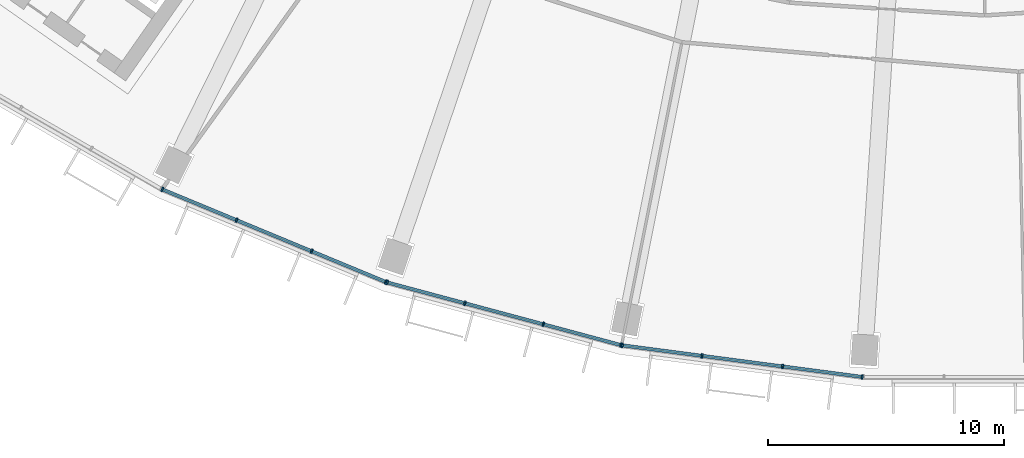
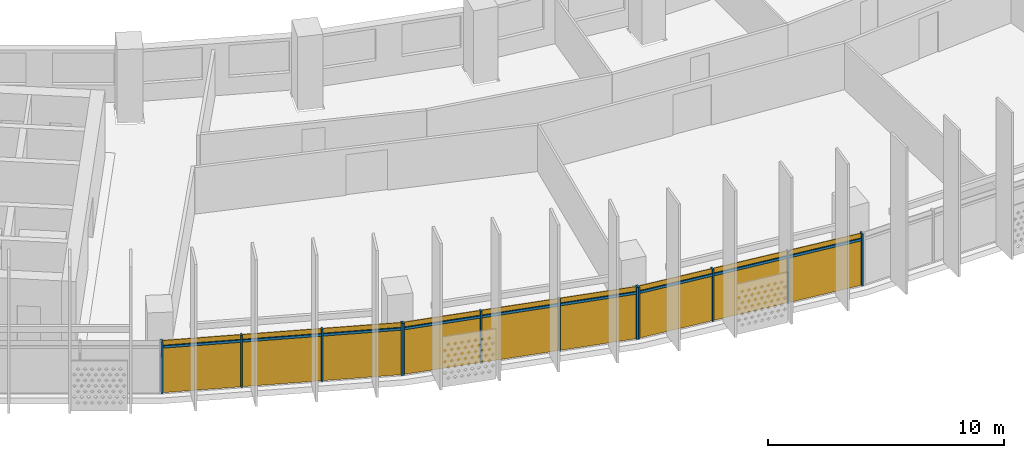
# One storey, part 17 of 31: 21 members, 3 curtain walls.
"""IFC4 building model written with IfcOpenShell, lengths in metres."""

from ifc_helpers import new_model, si_unit, direction, frame, origin, origin_2d, place, context, subcontext, project, spatial, rectangle, extrude, material, material_profile, profile_set, type_object, element, aggregate, save


model = new_model("IFC4")

# Units and contexts
model_context = context("Model", 3, precision=1e-05, world=origin(), true_north=direction((0.0, 1.0)))
body_context = subcontext(model_context, "Body", "Model", "MODEL_VIEW")
ifc_project = project(units=[si_unit("LENGTHUNIT", "METRE"), si_unit("AREAUNIT", "SQUARE_METRE"), si_unit("VOLUMEUNIT", "CUBIC_METRE"), si_unit("PLANEANGLEUNIT", "RADIAN"), si_unit("MASSUNIT", "GRAM", prefix="KILO")], contexts=[model_context])

# Member
ifc_material = material(Name="Aluminium 6063-T6 anodised", Category="aluminium")
ifc_material_profile_1 = material_profile(ifc_material, rectangle(XDim=0.199951171875, YDim=0.070068359375, at=origin_2d()))
ifc_profile_set_1 = profile_set([ifc_material_profile_1], Name="Aluminium 6063-T6 anodised")
member_type_1 = type_object("IfcMemberType", Name="Mullion 70 x 200 aluminium", PredefinedType="MULLION", material=ifc_profile_set_1)
site_placement = place(None, origin())
building_placement = place(site_placement, origin())
storey_placement = place(building_placement, frame((0.0, 0.0, 149.300048828125)))
member_1_placement = place(storey_placement, frame((-34.8701171875, -70.77392578125, 0.0), z_axis=(0.0, 0.0, 1.0), x_axis=(0.382683432365, 0.923879532511, 0.0)))
member_1 = element("IfcMember", 1, at=member_1_placement, type_object=member_type_1, Name="e-cw1-L34-out04/M00", PredefinedType="MULLION", context=body_context, shape_type="SweptSolid", body=[
    extrude(rectangle(XDim=0.199951171875, YDim=0.070068359375, at=origin_2d()), origin(), (0.0, 0.0, 1.0), 2.699951171875),
])

member_2_placement = place(storey_placement, frame((-31.72021484375, -72.078857421875, 0.0), z_axis=(0.0, 0.0, 1.0), x_axis=(0.382683432365, 0.923879532511, 0.0)))
member_2 = element("IfcMember", 2, at=member_2_placement, type_object=member_type_1, Name="e-cw1-L34-out04/M01", PredefinedType="MULLION", context=body_context, shape_type="SweptSolid", body=[
    extrude(rectangle(XDim=0.199951171875, YDim=0.070068359375, at=origin_2d()), origin(), (0.0, 0.0, 1.0), 2.699951171875),
])

member_3_placement = place(storey_placement, frame((-28.537841796875, -73.39697265625, 0.0), z_axis=(0.0, 0.0, 1.0), x_axis=(0.382683432365, 0.923879532511, 0.0)))
member_3 = element("IfcMember", 3, at=member_3_placement, type_object=member_type_1, Name="e-cw1-L34-out04/M02", PredefinedType="MULLION", context=body_context, shape_type="SweptSolid", body=[
    extrude(rectangle(XDim=0.199951171875, YDim=0.070068359375, at=origin_2d()), origin(), (0.0, 0.0, 1.0), 2.699951171875),
])

member_4_placement = place(storey_placement, frame((-25.3876953125, -74.70166015625, 0.0), z_axis=(0.0, 0.0, 1.0), x_axis=(0.382683432365, 0.923879532511, 0.0)))
member_4 = element("IfcMember", 4, at=member_4_placement, type_object=member_type_1, Name="e-cw1-L34-out04/M03", PredefinedType="MULLION", context=body_context, shape_type="SweptSolid", body=[
    extrude(rectangle(XDim=0.199951171875, YDim=0.070068359375, at=origin_2d()), origin(), (0.0, 0.0, 1.0), 2.699951171875),
])

member_5_placement = place(storey_placement, frame((-25.333984375, -74.719970703125, 0.0), z_axis=(0.0, 0.0, 1.0), x_axis=(0.258819045103, 0.965925826289, 0.0)))
member_5 = element("IfcMember", 5, at=member_5_placement, type_object=member_type_1, Name="e-cw1-L34-out05/M00", PredefinedType="MULLION", context=body_context, shape_type="SweptSolid", body=[
    extrude(rectangle(XDim=0.199951171875, YDim=0.070068359375, at=origin_2d()), origin(), (0.0, 0.0, 1.0), 2.699951171875),
])

member_6_placement = place(storey_placement, frame((-22.04052734375, -75.602294921875, 0.0), z_axis=(0.0, 0.0, 1.0), x_axis=(0.258819045103, 0.965925826289, 0.0)))
member_6 = element("IfcMember", 6, at=member_6_placement, type_object=member_type_1, Name="e-cw1-L34-out05/M01", PredefinedType="MULLION", context=body_context, shape_type="SweptSolid", body=[
    extrude(rectangle(XDim=0.199951171875, YDim=0.070068359375, at=origin_2d()), origin(), (0.0, 0.0, 1.0), 2.699951171875),
])

member_7_placement = place(storey_placement, frame((-18.71337890625, -76.493896484375, 0.0), z_axis=(0.0, 0.0, 1.0), x_axis=(0.258819045103, 0.965925826289, 0.0)))
member_7 = element("IfcMember", 7, at=member_7_placement, type_object=member_type_1, Name="e-cw1-L34-out05/M02", PredefinedType="MULLION", context=body_context, shape_type="SweptSolid", body=[
    extrude(rectangle(XDim=0.199951171875, YDim=0.070068359375, at=origin_2d()), origin(), (0.0, 0.0, 1.0), 2.699951171875),
])

member_8_placement = place(storey_placement, frame((-15.420166015625, -77.37646484375, 0.0), z_axis=(0.0, 0.0, 1.0), x_axis=(0.258819045103, 0.965925826289, 0.0)))
member_8 = element("IfcMember", 8, at=member_8_placement, type_object=member_type_1, Name="e-cw1-L34-out05/M03", PredefinedType="MULLION", context=body_context, shape_type="SweptSolid", body=[
    extrude(rectangle(XDim=0.199951171875, YDim=0.070068359375, at=origin_2d()), origin(), (0.0, 0.0, 1.0), 2.699951171875),
])

member_9_placement = place(storey_placement, frame((-15.364501953125, -77.387451171875, 0.0), z_axis=(0.0, 0.0, 1.0), x_axis=(0.13052619222, 0.991444861374, 0.0)))
member_9 = element("IfcMember", 9, at=member_9_placement, type_object=member_type_1, Name="e-cw1-L34-out06/M00", PredefinedType="MULLION", context=body_context, shape_type="SweptSolid", body=[
    extrude(rectangle(XDim=0.199951171875, YDim=0.070068359375, at=origin_2d()), origin(), (0.0, 0.0, 1.0), 2.699951171875),
])

member_10_placement = place(storey_placement, frame((-11.98388671875, -77.83251953125, 0.0), z_axis=(0.0, 0.0, 1.0), x_axis=(0.13052619222, 0.991444861374, 0.0)))
member_10 = element("IfcMember", 10, at=member_10_placement, type_object=member_type_1, Name="e-cw1-L34-out06/M01", PredefinedType="MULLION", context=body_context, shape_type="SweptSolid", body=[
    extrude(rectangle(XDim=0.199951171875, YDim=0.070068359375, at=origin_2d()), origin(), (0.0, 0.0, 1.0), 2.699951171875),
])

member_11_placement = place(storey_placement, frame((-8.56884765625, -78.2822265625, 0.0), z_axis=(0.0, 0.0, 1.0), x_axis=(0.13052619222, 0.991444861374, 0.0)))
member_11 = element("IfcMember", 11, at=member_11_placement, type_object=member_type_1, Name="e-cw1-L34-out06/M02", PredefinedType="MULLION", context=body_context, shape_type="SweptSolid", body=[
    extrude(rectangle(XDim=0.199951171875, YDim=0.070068359375, at=origin_2d()), origin(), (0.0, 0.0, 1.0), 2.699951171875),
])

member_12_placement = place(storey_placement, frame((-5.1884765625, -78.72705078125, 0.0), z_axis=(0.0, 0.0, 1.0), x_axis=(0.13052619222, 0.991444861374, 0.0)))
member_12 = element("IfcMember", 12, at=member_12_placement, type_object=member_type_1, Name="e-cw1-L34-out06/M03", PredefinedType="MULLION", context=body_context, shape_type="SweptSolid", body=[
    extrude(rectangle(XDim=0.199951171875, YDim=0.070068359375, at=origin_2d()), origin(), (0.0, 0.0, 1.0), 2.699951171875),
])

ifc_material_profile_2 = material_profile(ifc_material, rectangle(XDim=0.139892578125, YDim=0.1201171875, at=origin_2d()))
ifc_profile_set_2 = profile_set([ifc_material_profile_2], Name="Aluminium 6063-T6 anodised")
member_type_2 = type_object("IfcMemberType", Name="Transom 120 x 140 aluminium", PredefinedType="USERDEFINED", material=ifc_profile_set_2)
member_13_placement = place(storey_placement, frame((-34.837890625, -70.787353515625, 2.39990234375), z_axis=(0.923875164544, -0.382693977401, 0.0), x_axis=(0.382693977401, 0.923875164544, 0.0)))
member_13 = element("IfcMember", 13, at=member_13_placement, type_object=member_type_2, Name="e-cw1-L34-out04/T00", ObjectType="TRANSOM", PredefinedType="USERDEFINED", context=body_context, shape_type="SweptSolid", body=[
    extrude(rectangle(XDim=0.139892578125, YDim=0.1201171875, at=origin_2d()), origin(), (0.0, 0.0, 1.0), 3.339599609375),
])

member_14_placement = place(storey_placement, frame((-31.687744140625, -72.092041015625, 2.39990234375), z_axis=(0.923866926753, -0.382713863941, 0.0), x_axis=(0.382713863941, 0.923866926753, 0.0)))
member_14 = element("IfcMember", 14, at=member_14_placement, type_object=member_type_2, Name="e-cw1-L34-out04/T01", ObjectType="TRANSOM", PredefinedType="USERDEFINED", context=body_context, shape_type="SweptSolid", body=[
    extrude(rectangle(XDim=0.139892578125, YDim=0.1201171875, at=origin_2d()), origin(), (0.0, 0.0, 1.0), 3.37451171875),
])

member_15_placement = place(storey_placement, frame((-28.50537109375, -73.410400390625, 2.39990234375), z_axis=(0.923890305385, -0.382657423311, 0.0), x_axis=(0.382657423311, 0.923890305385, 0.0)))
member_15 = element("IfcMember", 15, at=member_15_placement, type_object=member_type_2, Name="e-cw1-L34-out04/T02", ObjectType="TRANSOM", PredefinedType="USERDEFINED", context=body_context, shape_type="SweptSolid", body=[
    extrude(rectangle(XDim=0.139892578125, YDim=0.1201171875, at=origin_2d()), origin(), (0.0, 0.0, 1.0), 3.33935546875),
])

member_16_placement = place(storey_placement, frame((-25.30029296875, -74.72900390625, 2.39990234375), z_axis=(0.965933368091, -0.258790897074, 0.0), x_axis=(0.258790897074, 0.965933368091, 0.0)))
member_16 = element("IfcMember", 16, at=member_16_placement, type_object=member_type_2, Name="e-cw1-L34-out05/T00", ObjectType="TRANSOM", PredefinedType="USERDEFINED", context=body_context, shape_type="SweptSolid", body=[
    extrude(rectangle(XDim=0.139892578125, YDim=0.1201171875, at=origin_2d()), origin(), (0.0, 0.0, 1.0), 3.339599609375),
])

member_17_placement = place(storey_placement, frame((-22.0068359375, -75.611572265625, 2.39990234375), z_axis=(0.965932873966, -0.258792741381, 0.0), x_axis=(0.258792741381, 0.965932873966, 0.0)))
member_17 = element("IfcMember", 17, at=member_17_placement, type_object=member_type_2, Name="e-cw1-L34-out05/T01", ObjectType="TRANSOM", PredefinedType="USERDEFINED", context=body_context, shape_type="SweptSolid", body=[
    extrude(rectangle(XDim=0.139892578125, YDim=0.1201171875, at=origin_2d()), origin(), (0.0, 0.0, 1.0), 3.37451171875),
])

member_18_placement = place(storey_placement, frame((-18.6796875, -76.5029296875, 2.39990234375), z_axis=(0.96591509168, -0.258859103886, 0.0), x_axis=(0.258859103886, 0.96591509168, 0.0)))
member_18 = element("IfcMember", 18, at=member_18_placement, type_object=member_type_2, Name="e-cw1-L34-out05/T02", ObjectType="TRANSOM", PredefinedType="USERDEFINED", context=body_context, shape_type="SweptSolid", body=[
    extrude(rectangle(XDim=0.139892578125, YDim=0.1201171875, at=origin_2d()), origin(), (0.0, 0.0, 1.0), 3.339599609375),
])

member_19_placement = place(storey_placement, frame((-15.32958984375, -77.39208984375, 2.39990234375), z_axis=(0.991448073325, -0.130501792706, 0.0), x_axis=(0.130501792706, 0.991448073325, 0.0)))
member_19 = element("IfcMember", 19, at=member_19_placement, type_object=member_type_2, Name="e-cw1-L34-out06/T00", ObjectType="TRANSOM", PredefinedType="USERDEFINED", context=body_context, shape_type="SweptSolid", body=[
    extrude(rectangle(XDim=0.139892578125, YDim=0.1201171875, at=origin_2d()), origin(), (0.0, 0.0, 1.0), 3.33935546875),
])

member_20_placement = place(storey_placement, frame((-11.94921875, -77.837158203125, 2.39990234375), z_axis=(0.991446413845, -0.130514399487, 0.0), x_axis=(0.130514399487, 0.991446413845, 0.0)))
member_20 = element("IfcMember", 20, at=member_20_placement, type_object=member_type_2, Name="e-cw1-L34-out06/T01", ObjectType="TRANSOM", PredefinedType="USERDEFINED", context=body_context, shape_type="SweptSolid", body=[
    extrude(rectangle(XDim=0.139892578125, YDim=0.1201171875, at=origin_2d()), origin(), (0.0, 0.0, 1.0), 3.37451171875),
])

member_21_placement = place(storey_placement, frame((-8.5341796875, -78.28662109375, 2.39990234375), z_axis=(0.991439857731, -0.130564193033, 0.0), x_axis=(0.130564193033, 0.991439857731, 0.0)))
member_21 = element("IfcMember", 21, at=member_21_placement, type_object=member_type_2, Name="e-cw1-L34-out06/T02", ObjectType="TRANSOM", PredefinedType="USERDEFINED", context=body_context, shape_type="SweptSolid", body=[
    extrude(rectangle(XDim=0.139892578125, YDim=0.1201171875, at=origin_2d()), origin(), (0.0, 0.0, 1.0), 3.339599609375),
])

# Site, building, storey
site = spatial("IfcSite", under=ifc_project, at=site_placement, CompositionType="ELEMENT")
building = spatial("IfcBuilding", under=site, at=building_placement, Name="Qamariyya Broadcast Tower", CompositionType="ELEMENT")
storey = spatial("IfcBuildingStorey", under=building, at=storey_placement, Name="L34", CompositionType="ELEMENT", Elevation=149.300048828125)

# Curtain wall
curtain_wall_type = type_object("IfcCurtainWallType", Name="Unitised curtain wall, anodised aluminium", PredefinedType="NOTDEFINED", material=ifc_material)
curtain_wall_1_placement = place(storey_placement, origin())
curtain_wall_1 = element("IfcCurtainWall", 22, at=curtain_wall_1_placement, inside=storey, type_object=curtain_wall_type, Name="e-cw1-L34-out04", PredefinedType="NOTDEFINED", context=body_context, shape_type="SweptSolid", body=[
    extrude(rectangle(XDim=3.339599609375, YDim=0.031982421875, at=origin_2d()), frame((-33.295166015625, -71.42626953125, 0.0), x_axis=(0.923878040314, -0.382687034829, 0.0)), (0.0, 0.0, 1.0), 2.340087890625),
    extrude(rectangle(XDim=3.339599609375, YDim=0.031982421875, at=origin_2d()), frame((-33.295166015625, -71.42626953125, 2.4599609375), x_axis=(0.923878040314, -0.382687034829, 0.0)), (0.0, 0.0, 1.0), 0.239990234375),
    extrude(rectangle(XDim=3.37451171875, YDim=0.031982421875, at=origin_2d()), frame((-30.12890625, -72.73779296875, 0.0), x_axis=(0.923878040314, -0.382687034829, 0.0)), (0.0, 0.0, 1.0), 2.340087890625),
    extrude(rectangle(XDim=3.37451171875, YDim=0.031982421875, at=origin_2d()), frame((-30.12890625, -72.73779296875, 2.4599609375), x_axis=(0.923878040314, -0.382687034829, 0.0)), (0.0, 0.0, 1.0), 0.239990234375),
    extrude(rectangle(XDim=3.339599609375, YDim=0.031982421875, at=origin_2d()), frame((-26.962890625, -74.04931640625, 0.0), x_axis=(0.923878040314, -0.382687034829, 0.0)), (0.0, 0.0, 1.0), 2.340087890625),
    extrude(rectangle(XDim=3.339599609375, YDim=0.031982421875, at=origin_2d()), frame((-26.962890625, -74.04931640625, 2.4599609375), x_axis=(0.923878040314, -0.382687034829, 0.0)), (0.0, 0.0, 1.0), 0.239990234375),
])

aggregate(curtain_wall_1, [member_1, member_2, member_3, member_4, member_13, member_14, member_15])

curtain_wall_2_placement = place(storey_placement, origin())
curtain_wall_2 = element("IfcCurtainWall", 23, at=curtain_wall_2_placement, inside=storey, type_object=curtain_wall_type, Name="e-cw1-L34-out05", PredefinedType="NOTDEFINED", context=body_context, shape_type="SweptSolid", body=[
    extrude(rectangle(XDim=3.339599609375, YDim=0.031982421875, at=origin_2d()), frame((-23.6875, -75.1611328125, 0.0), x_axis=(0.965926433062, -0.258816780584, 0.0)), (0.0, 0.0, 1.0), 2.340087890625),
    extrude(rectangle(XDim=3.339599609375, YDim=0.031982421875, at=origin_2d()), frame((-23.6875, -75.1611328125, 2.4599609375), x_axis=(0.965926433062, -0.258816780584, 0.0)), (0.0, 0.0, 1.0), 0.239990234375),
    extrude(rectangle(XDim=3.37451171875, YDim=0.031982421875, at=origin_2d()), frame((-20.376953125, -76.04833984375, 0.0), x_axis=(0.965926433062, -0.258816780584, 0.0)), (0.0, 0.0, 1.0), 2.340087890625),
    extrude(rectangle(XDim=3.37451171875, YDim=0.031982421875, at=origin_2d()), frame((-20.376953125, -76.04833984375, 2.4599609375), x_axis=(0.965926433062, -0.258816780584, 0.0)), (0.0, 0.0, 1.0), 0.239990234375),
    extrude(rectangle(XDim=3.339599609375, YDim=0.031982421875, at=origin_2d()), frame((-17.066650390625, -76.935302734375, 0.0), x_axis=(0.965926433062, -0.258816780584, 0.0)), (0.0, 0.0, 1.0), 2.340087890625),
    extrude(rectangle(XDim=3.339599609375, YDim=0.031982421875, at=origin_2d()), frame((-17.066650390625, -76.935302734375, 2.4599609375), x_axis=(0.965926433062, -0.258816780584, 0.0)), (0.0, 0.0, 1.0), 0.239990234375),
])

aggregate(curtain_wall_2, [member_5, member_6, member_7, member_8, member_16, member_17, member_18])

curtain_wall_3_placement = place(storey_placement, origin())
curtain_wall_3 = element("IfcCurtainWall", 24, at=curtain_wall_3_placement, inside=storey, type_object=curtain_wall_type, Name="e-cw1-L34-out06", PredefinedType="NOTDEFINED", context=body_context, shape_type="SweptSolid", body=[
    extrude(rectangle(XDim=3.339599609375, YDim=0.031982421875, at=origin_2d()), frame((-13.67431640625, -77.60986328125, 0.0), x_axis=(0.991444240905, -0.130530905064, 0.0)), (0.0, 0.0, 1.0), 2.340087890625),
    extrude(rectangle(XDim=3.339599609375, YDim=0.031982421875, at=origin_2d()), frame((-13.67431640625, -77.60986328125, 2.4599609375), x_axis=(0.991444240905, -0.130530905064, 0.0)), (0.0, 0.0, 1.0), 0.239990234375),
    extrude(rectangle(XDim=3.37451171875, YDim=0.031982421875, at=origin_2d()), frame((-10.2763671875, -78.05712890625, 0.0), x_axis=(0.991444240905, -0.130530905064, 0.0)), (0.0, 0.0, 1.0), 2.340087890625),
    extrude(rectangle(XDim=3.37451171875, YDim=0.031982421875, at=origin_2d()), frame((-10.2763671875, -78.05712890625, 2.4599609375), x_axis=(0.991444240905, -0.130530905064, 0.0)), (0.0, 0.0, 1.0), 0.239990234375),
    extrude(rectangle(XDim=3.339599609375, YDim=0.031982421875, at=origin_2d()), frame((-6.878662109375, -78.504638671875, 0.0), x_axis=(0.991444240905, -0.130530905064, 0.0)), (0.0, 0.0, 1.0), 2.340087890625),
    extrude(rectangle(XDim=3.339599609375, YDim=0.031982421875, at=origin_2d()), frame((-6.878662109375, -78.504638671875, 2.4599609375), x_axis=(0.991444240905, -0.130530905064, 0.0)), (0.0, 0.0, 1.0), 0.239990234375),
])

aggregate(curtain_wall_3, [member_9, member_10, member_11, member_12, member_19, member_20, member_21])

save(model, "model.ifc")
